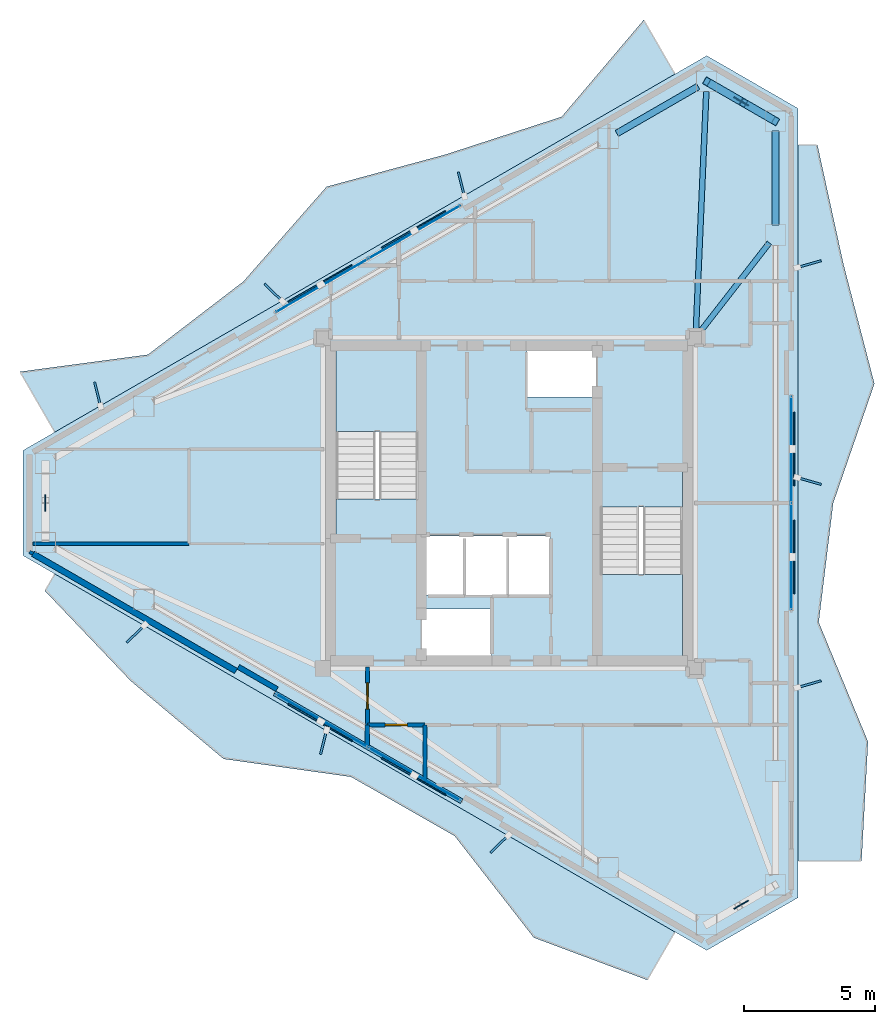
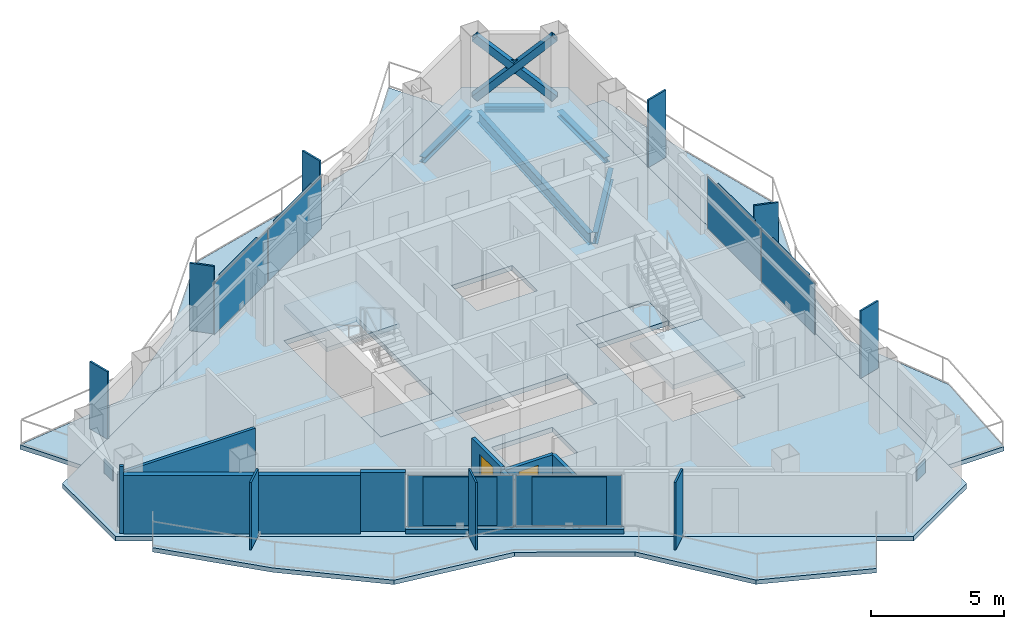
# One storey, part 13 of 18: 24 plates, 9 walls, 8 slabs, 5 beams, 3 members, 2 doors, 2 openings, 5 elements without a shape of their own.
"""IFC4 building model written with IfcOpenShell, lengths in metres."""

import ifcopenshell
import ifcopenshell.guid

model = None  # the IFC model being written
_history = None  # IfcOwnerHistory: only IFC2X3 demands one
_inside = {}  # id of a spatial element -> (the spatial element, [elements in it])
_under = {}  # id of a project, library or spatial element -> (it, [spatial elements below it])
_declared = {}  # id of a project -> (the project, [libraries it declares])
_typed = {}  # id of a type object -> (the type object, [elements of that type])
_made_of = {}  # id of a material, layer set ... -> (it, [elements and type objects made of it])


def new_model(schema):
    """Start an empty IFC model of exactly this schema.

    Asked for "IFC4X3", IfcOpenShell would pick the latest addendum, in which some entities
    have other attributes; the version numbers below select the first issue.
    IFC2X3 requires an IfcOwnerHistory on every rooted entity: one is made here for all.
    """
    global model, _history
    if schema == "IFC4X3":
        model = ifcopenshell.file(schema_version=(4, 3, 0, 0))
    else:
        model = ifcopenshell.file(schema=schema)
    _inside.clear()
    _under.clear()
    _declared.clear()
    _typed.clear()
    _made_of.clear()
    _history = None
    if model.schema == "IFC2X3":
        org = make("IfcOrganization", Name="unknown")
        user = make(
            "IfcPersonAndOrganization",
            ThePerson=make("IfcPerson", FamilyName="unknown"),
            TheOrganization=org,
        )
        app = make(
            "IfcApplication",
            ApplicationDeveloper=org,
            Version="unknown",
            ApplicationFullName="unknown",
            ApplicationIdentifier="unknown",
        )
        _history = make(
            "IfcOwnerHistory",
            OwningUser=user,
            OwningApplication=app,
            ChangeAction="ADDED",
            CreationDate=0,
        )
    return model


def make(cls, **values):
    """One entity of the class cls with the attributes given. An attribute that is None is left unset."""
    return model.create_entity(
        cls, **{name: value for name, value in values.items() if value is not None}
    )


def rooted(cls, **values):
    """An entity with a GlobalId (a new one), such as an element, a storey or a relation."""
    return make(cls, GlobalId=ifcopenshell.guid.new(), OwnerHistory=_history, **values)


def si_unit(unit_type, name, prefix=None):
    """IfcSIUnit, for example si_unit("LENGTHUNIT", "METRE", prefix="MILLI")."""
    return make("IfcSIUnit", UnitType=unit_type, Prefix=prefix, Name=name)


def assignment(units):
    """IfcUnitAssignment: the units of a project."""
    return None if units is None else make("IfcUnitAssignment", Units=units)


def point(xyz):
    """IfcCartesianPoint."""
    return None if xyz is None else make("IfcCartesianPoint", Coordinates=xyz)


def direction(xyz):
    """IfcDirection."""
    return None if xyz is None else make("IfcDirection", DirectionRatios=xyz)


def frame(location, z_axis=None, x_axis=None):
    """IfcAxis2Placement3D, a coordinate frame: its origin and axes. An axis left out is left unset."""
    return make(
        "IfcAxis2Placement3D",
        Location=point(location),
        Axis=direction(z_axis),
        RefDirection=direction(x_axis),
    )


def frame_2d(location, x_axis=None):
    """IfcAxis2Placement2D, a coordinate frame in the plane: its origin and x axis."""
    return make(
        "IfcAxis2Placement2D", Location=point(location), RefDirection=direction(x_axis)
    )


def origin():
    """The frame at (0, 0, 0) with its axes left unset."""
    return frame((0.0, 0.0, 0.0))


def origin_2d():
    """The frame at (0, 0) in the plane with its x axis left unset."""
    return frame_2d((0.0, 0.0))


def place(relative_to, where):
    """IfcLocalPlacement: puts the frame where relative to a parent placement (None: the world)."""
    return make(
        "IfcLocalPlacement", PlacementRelTo=relative_to, RelativePlacement=where
    )


def context(
    kind, dimensions, precision=None, world=None, true_north=None, identifier=None
):
    """IfcGeometricRepresentationContext, for example the 3D "Model" context."""
    return make(
        "IfcGeometricRepresentationContext",
        ContextIdentifier=identifier,
        ContextType=kind,
        CoordinateSpaceDimension=dimensions,
        Precision=precision,
        WorldCoordinateSystem=world,
        TrueNorth=true_north,
    )


def subcontext(parent, identifier, kind, view, scale=None):
    """IfcGeometricRepresentationSubContext, for example "Body" below "Model"."""
    return make(
        "IfcGeometricRepresentationSubContext",
        ContextIdentifier=identifier,
        ContextType=kind,
        ParentContext=parent,
        TargetScale=scale,
        TargetView=view,
    )


def project(units=None, contexts=None):
    """IfcProject with its units and contexts."""
    return rooted(
        "IfcProject",
        Name="project",
        RepresentationContexts=contexts,
        UnitsInContext=assignment(units),
    )


def spatial(cls, under=None, at=None, **own):
    """A site, building, storey or space (cls), placed at a placement, below another one or the project."""
    s = rooted(cls, ObjectPlacement=at, **own)
    if under is not None:
        _under.setdefault(under.id(), (under, []))[1].append(s)
    return s


def polyline(points):
    """IfcPolyline through the points."""
    return make("IfcPolyline", Points=[point(p) for p in points])


def profile(cls, at=None, kind="AREA", **sizes):
    """A parametric profile (cls). Its sizes go by their IFC names, for example OverallWidth=200.0."""
    return make(cls, ProfileType=kind, Position=at, **sizes)


def rectangle(**sizes):
    """IfcRectangleProfileDef."""
    return profile("IfcRectangleProfileDef", **sizes)


def hollow_rectangle(**sizes):
    """IfcRectangleHollowProfileDef."""
    return profile("IfcRectangleHollowProfileDef", **sizes)


def i_section(**sizes):
    """IfcIShapeProfileDef."""
    return profile("IfcIShapeProfileDef", **sizes)


def outline(outer, holes=None, kind="AREA"):
    """IfcArbitraryClosedProfileDef: a profile drawn as a closed curve; with holes, ...WithVoids."""
    if holes is None:
        return make("IfcArbitraryClosedProfileDef", ProfileType=kind, OuterCurve=outer)
    return make(
        "IfcArbitraryProfileDefWithVoids",
        ProfileType=kind,
        OuterCurve=outer,
        InnerCurves=holes,
    )


def extrude(swept, where, along, depth):
    """IfcExtrudedAreaSolid: the profile swept, set in the frame where, extruded along a direction by depth."""
    return make(
        "IfcExtrudedAreaSolid",
        SweptArea=swept,
        Position=where,
        ExtrudedDirection=direction(along),
        Depth=depth,
    )


def shape(context_of_items, identifier, shape_type, items):
    """IfcShapeRepresentation: the items that make up one representation, for example the "Body"."""
    return make(
        "IfcShapeRepresentation",
        ContextOfItems=context_of_items,
        RepresentationIdentifier=identifier,
        RepresentationType=shape_type,
        Items=items,
    )


def material(Name=None, Category=None):
    """IfcMaterial."""
    return make("IfcMaterial", Name=Name, Category=Category)


def layer(
    of_material, thickness, ventilated=None, Name=None, Category=None, Priority=None
):
    """IfcMaterialLayer: one layer of a wall or slab, of a material (None: an air gap)."""
    return make(
        "IfcMaterialLayer",
        Material=of_material,
        LayerThickness=thickness,
        IsVentilated=ventilated,
        Name=Name,
        Category=Category,
        Priority=Priority,
    )


def layer_set(layers, Name=None):
    """IfcMaterialLayerSet."""
    return make("IfcMaterialLayerSet", MaterialLayers=layers, LayerSetName=Name)


def material_profile(
    of_material, cross_section, Name=None, Category=None, Priority=None
):
    """IfcMaterialProfile: a cross section and its material."""
    return make(
        "IfcMaterialProfile",
        Name=Name,
        Material=of_material,
        Profile=cross_section,
        Priority=Priority,
        Category=Category,
    )


def profile_set(profiles, Name=None, composite=None):
    """IfcMaterialProfileSet."""
    return make(
        "IfcMaterialProfileSet",
        Name=Name,
        MaterialProfiles=profiles,
        CompositeProfile=composite,
    )


def made_of(thing, what):
    """Note that an element or type object is made of a material, layer set ...; save() writes the relation."""
    if what is not None:
        _made_of.setdefault(what.id(), (what, []))[1].append(thing)
    return thing


def type_object(cls, material=None, **own):
    """A type object (cls), such as IfcWallType, which elements share."""
    return made_of(rooted(cls, **own), material)


def element(
    cls,
    number,
    at=None,
    inside=None,
    cuts=None,
    type_object=None,
    material=None,
    context=None,
    identifier="Body",
    shape_type=None,
    held_by="IfcProductDefinitionShape",
    body=None,
    shapes=None,
    **own,
):
    """One element of the class cls, such as IfcWall. Its Tag is "e" and its number.

    at: its placement. inside: the storey or other place that contains it. cuts: it is an
    opening in that element (IfcRelVoidsElement). A single representation is given by context,
    identifier, shape_type and body (its items); several are given by shapes. held_by: the class
    of the entity that holds the representations. save() writes the other relations.
    """
    e = rooted(cls, Tag="e%d" % number, ObjectPlacement=at, **own)
    if body is not None:
        shapes = [shape(context, identifier, shape_type, body)]
    if shapes is not None:
        e.Representation = make(held_by, Representations=shapes)
    if inside is not None:
        _inside.setdefault(inside.id(), (inside, []))[1].append(e)
    if cuts is not None:
        rooted(
            "IfcRelVoidsElement", RelatingBuildingElement=cuts, RelatedOpeningElement=e
        )
    if type_object is not None:
        _typed.setdefault(type_object.id(), (type_object, []))[1].append(e)
    return made_of(e, material)


def fill(opening, filler):
    """IfcRelFillsElement: the door or window that sits in an opening."""
    return rooted(
        "IfcRelFillsElement",
        RelatingOpeningElement=opening,
        RelatedBuildingElement=filler,
    )


def aggregate(whole, parts):
    """IfcRelAggregates: a whole, such as a stair, and the parts it consists of."""
    return rooted("IfcRelAggregates", RelatingObject=whole, RelatedObjects=parts)


def save(model, path):
    """Write the relations noted so far, then the file.

    IfcRelAggregates (storeys below a building ...), IfcRelContainedInSpatialStructure (elements
    in a storey), IfcRelDefinesByType, IfcRelAssociatesMaterial and IfcRelDeclares: one each for
    every whole, place, type object, material and project.
    """
    for whole, parts in _under.values():
        aggregate(whole, parts)
    for where, things in _inside.values():
        rooted(
            "IfcRelContainedInSpatialStructure",
            RelatedElements=things,
            RelatingStructure=where,
        )
    for kind, things in _typed.values():
        rooted("IfcRelDefinesByType", RelatedObjects=things, RelatingType=kind)
    for what, things in _made_of.values():
        rooted("IfcRelAssociatesMaterial", RelatedObjects=things, RelatingMaterial=what)
    for by, libraries in _declared.values():
        rooted("IfcRelDeclares", RelatingContext=by, RelatedDefinitions=libraries)
    model.write(path)


model = new_model("IFC4")

# Units and contexts
model_context = context("Model", 3, precision=1e-05, world=origin(), true_north=direction((0.0, 1.0)))
body_context = subcontext(model_context, "Body", "Model", "MODEL_VIEW")
ifc_project = project(units=[si_unit("LENGTHUNIT", "METRE"), si_unit("AREAUNIT", "SQUARE_METRE"), si_unit("VOLUMEUNIT", "CUBIC_METRE"), si_unit("PLANEANGLEUNIT", "RADIAN"), si_unit("MASSUNIT", "GRAM", prefix="KILO")], contexts=[model_context])

# Site, building, storey
site_placement = place(None, origin())
site = spatial("IfcSite", under=ifc_project, at=site_placement, CompositionType="ELEMENT")
building_placement = place(site_placement, origin())
building = spatial("IfcBuilding", under=site, at=building_placement, Name="Mersakhor Tower and Convention Hall", CompositionType="ELEMENT")
storey_placement = place(building_placement, frame((0.0, 0.0, 239.699951171875)))
storey = spatial("IfcBuildingStorey", under=building, at=storey_placement, Name="L67", CompositionType="ELEMENT", Elevation=239.699951171875)

# Beams
ifc_material_1 = material(Name="Steel S355", Category="steel")
ifc_material_profile_1 = material_profile(ifc_material_1, i_section(OverallWidth=0.2099609375, OverallDepth=0.53662109375, WebThickness=0.0107421875, FlangeThickness=0.017333984375, at=origin_2d()), Name="UB 533x210x101")
ifc_profile_set_1 = profile_set([ifc_material_profile_1], Name="Steel S355")
beam_type_1 = type_object("IfcBeamType", Name="BM-FB-533", PredefinedType="BEAM", material=ifc_profile_set_1)
beam_1_placement = place(storey_placement, frame((36.1123046875, 33.32958984375, -0.48828125), z_axis=(0.043540774519, 0.999051650794, 0.0), x_axis=(-0.999051650794, 0.043540774519, 0.0)))
element("IfcBeam", 1, at=beam_1_placement, inside=storey, type_object=beam_type_1, Name="L67 Primary Floor Girder FG-2", PredefinedType="BEAM", context=body_context, shape_type="SweptSolid", body=[
    extrude(i_section(OverallWidth=0.2099609375, OverallDepth=0.53662109375, WebThickness=0.0107421875, FlangeThickness=0.017333984375, at=origin_2d()), origin(), (0.0, 0.0, 1.0), 9.10595703125),
])
beam_2_placement = place(storey_placement, frame((36.27197265625, 33.27099609375, -0.48828125), z_axis=(0.614066533088, 0.789254263809, 0.0), x_axis=(-0.789254263809, 0.614066533088, 0.0)))
element("IfcBeam", 2, at=beam_2_placement, inside=storey, type_object=beam_type_1, Name="L67 Primary Floor Girder FG-3", PredefinedType="BEAM", context=body_context, shape_type="SweptSolid", body=[
    extrude(i_section(OverallWidth=0.2099609375, OverallDepth=0.53662109375, WebThickness=0.0107421875, FlangeThickness=0.017333984375, at=origin_2d()), origin(), (0.0, 0.0, 1.0), 4.295166015625),
])
ifc_material_2 = material(Name="Steel S355", Category="steel")
ifc_material_profile_2 = material_profile(ifc_material_2, i_section(OverallWidth=0.25634765625, OverallDepth=0.26025390625, WebThickness=0.01025390625, FlangeThickness=0.017333984375, at=origin_2d()), Name="UC 254x254x89")
ifc_profile_set_2 = profile_set([ifc_material_profile_2], Name="Steel S355")
beam_type_2 = type_object("IfcBeamType", Name="BM-SPD-UC254", PredefinedType="SPANDREL", material=ifc_profile_set_2)
beam_3_placement = place(storey_placement, frame((33.1005859375, 40.829345703125, -0.35009765625), z_axis=(0.866002454009, 0.500039748071, 0.0), x_axis=(-0.500039748071, 0.866002454009, 0.0)))
element("IfcBeam", 3, at=beam_3_placement, inside=storey, type_object=beam_type_2, Name="L67 Perimeter Spandrel Beam SPB-03", PredefinedType="SPANDREL", context=body_context, shape_type="SweptSolid", body=[
    extrude(i_section(OverallWidth=0.25634765625, OverallDepth=0.26025390625, WebThickness=0.01025390625, FlangeThickness=0.017333984375, at=origin_2d()), origin(), (0.0, 0.0, 1.0), 3.574462890625),
])
beam_4_placement = place(storey_placement, frame((36.854248046875, 42.61669921875, -0.35009765625), z_axis=(0.866016678684, -0.500015112013, 0.0), x_axis=(0.500015112013, 0.866016678684, 0.0)))
element("IfcBeam", 4, at=beam_4_placement, inside=storey, type_object=beam_type_2, Name="L67 Perimeter Spandrel Beam SPB-04", PredefinedType="SPANDREL", context=body_context, shape_type="SweptSolid", body=[
    extrude(i_section(OverallWidth=0.25634765625, OverallDepth=0.26025390625, WebThickness=0.01025390625, FlangeThickness=0.017333984375, at=origin_2d()), origin(), (0.0, 0.0, 1.0), 2.2626953125),
])
beam_5_placement = place(storey_placement, frame((39.142822265625, 40.915283203125, -0.35009765625), z_axis=(0.0, -1.0, 0.0), x_axis=(1.0, 0.0, 0.0)))
element("IfcBeam", 5, at=beam_5_placement, inside=storey, type_object=beam_type_2, Name="L67 Perimeter Spandrel Beam SPB-05", PredefinedType="SPANDREL", context=body_context, shape_type="SweptSolid", body=[
    extrude(i_section(OverallWidth=0.25634765625, OverallDepth=0.26025390625, WebThickness=0.01025390625, FlangeThickness=0.017333984375, at=origin_2d()), origin(), (0.0, 0.0, 1.0), 3.574462890625),
])

# Members
ifc_material_3 = material(Name="Steel S355", Category="steel")
ifc_material_profile_3 = material_profile(ifc_material_3, hollow_rectangle(XDim=0.300048828125, YDim=0.300048828125, WallThickness=0.01611328125, at=origin_2d()), Name="SHS 300x300x16")
ifc_profile_set_3 = profile_set([ifc_material_profile_3], Name="Steel S355")
member_type = type_object("IfcMemberType", Name="MB-BRC-SHS300", PredefinedType="BRACE", material=ifc_profile_set_3)
member_1_placement = place(storey_placement, frame((36.525146484375, 42.806640625, 0.150146484375), z_axis=(0.637448673294, -0.368010379378, 0.676925069402), x_axis=(0.499978822259, 0.866037630414, 0.0)))
element("IfcMember", 6, at=member_1_placement, inside=storey, type_object=member_type, Name="L67 Chamfer Braced Frame Diagonal CB-1A", PredefinedType="BRACE", context=body_context, shape_type="SweptSolid", body=[
    extrude(hollow_rectangle(XDim=0.300048828125, YDim=0.300048828125, WallThickness=0.01611328125, at=origin_2d()), origin(), (0.0, 0.0, 1.0), 4.1064453125),
])
member_2_placement = place(storey_placement, frame((39.142822265625, 41.29541015625, 0.150146484375), z_axis=(-0.6374128848, 0.367990943802, 0.676969334291), x_axis=(-0.499980071345, -0.866036909293, 0.0)))
element("IfcMember", 7, at=member_2_placement, inside=storey, type_object=member_type, Name="L67 Chamfer Braced Frame Diagonal CB-1B Lower Half", PredefinedType="BRACE", context=body_context, shape_type="SweptSolid", body=[
    extrude(hollow_rectangle(XDim=0.300048828125, YDim=0.300048828125, WallThickness=0.01611328125, at=origin_2d()), origin(), (0.0, 0.0, 1.0), 1.894775390625),
])
member_3_placement = place(storey_placement, frame((37.73291015625, 42.109375, 1.6474609375), z_axis=(-0.637468486011, 0.36802304347, 0.676899526383), x_axis=(-0.499980071345, -0.866036909293, 0.0)))
element("IfcMember", 8, at=member_3_placement, inside=storey, type_object=member_type, Name="L67 Chamfer Braced Frame Diagonal CB-1B Upper Half", PredefinedType="BRACE", context=body_context, shape_type="SweptSolid", body=[
    extrude(hollow_rectangle(XDim=0.300048828125, YDim=0.300048828125, WallThickness=0.01611328125, at=origin_2d()), origin(), (0.0, 0.0, 1.0), 1.89453125),
])

# Curtain wall, plates
ifc_material_4 = material(Name="Dark solar low-E aluminium curtain wall", Category="aluminium")
ifc_layer_1 = layer(ifc_material_4, 0.179931640625)
ifc_layer_set_1 = layer_set([ifc_layer_1], Name="Dark solar low-E aluminium curtain wall")
curtain_wall_type = type_object("IfcCurtainWallType", Name="CW-SYS-03", PredefinedType="USERDEFINED", material=ifc_layer_set_1)
curtain_wall_1_placement = place(storey_placement, origin())
curtain_wall_1 = element("IfcCurtainWall", 9, at=curtain_wall_1_placement, inside=storey, type_object=curtain_wall_type, Name="L67 Dark-Glass Curtain Wall F1-B2", ObjectType="CURTAIN WALL", PredefinedType="USERDEFINED")
ifc_material_5 = material(Name="Dark solar double glazing", Category="glass")
ifc_layer_2 = layer(ifc_material_5, 0.031982421875)
ifc_layer_set_2 = layer_set([ifc_layer_2], Name="Dark solar double glazing")
plate_type_1 = type_object("IfcPlateType", Name="CWP-GLZ-32", PredefinedType="CURTAIN_PANEL", material=ifc_layer_set_2)
plate_1_placement = place(storey_placement, frame((21.863525390625, 35.034423828125, 0.260009765625), z_axis=(0.0, 0.0, 1.0), x_axis=(0.86602285698, 0.500004411169, 0.0)))
plate_1 = element("IfcPlate", 10, at=plate_1_placement, type_object=plate_type_1, Name="CW-03 panel 1.1", PredefinedType="CURTAIN_PANEL", context=body_context, shape_type="SweptSolid", body=[
    extrude(rectangle(XDim=4.00146484375, YDim=0.031982421875, at=origin_2d()), origin(), (0.0, 0.0, 1.0), 2.3798828125),
])
plate_2_placement = place(storey_placement, frame((25.393798828125, 37.07275390625, 0.260009765625), z_axis=(0.0, 0.0, 1.0), x_axis=(0.86602285698, 0.500004411169, 0.0)))
plate_2 = element("IfcPlate", 11, at=plate_2_placement, type_object=plate_type_1, Name="CW-03 panel 2.1", PredefinedType="CURTAIN_PANEL", context=body_context, shape_type="SweptSolid", body=[
    extrude(rectangle(XDim=4.00146484375, YDim=0.031982421875, at=origin_2d()), origin(), (0.0, 0.0, 1.0), 2.3798828125),
])
aggregate(curtain_wall_1, [plate_1, plate_2])

curtain_wall_2_placement = place(storey_placement, origin())
curtain_wall_2 = element("IfcCurtainWall", 12, at=curtain_wall_2_placement, inside=storey, type_object=curtain_wall_type, Name="L67 Dark-Glass Curtain Wall F2-B2", ObjectType="CURTAIN WALL", PredefinedType="USERDEFINED")
plate_3_placement = place(storey_placement, frame((39.742919921875, 28.7880859375, 0.260009765625), z_axis=(0.0, 0.0, 1.0), x_axis=(0.0, -1.0, 0.0)))
plate_3 = element("IfcPlate", 13, at=plate_3_placement, type_object=plate_type_1, Name="CW-03 panel 1.1", PredefinedType="CURTAIN_PANEL", context=body_context, shape_type="SweptSolid", body=[
    extrude(rectangle(XDim=4.00146484375, YDim=0.031982421875, at=origin_2d()), origin(), (0.0, 0.0, 1.0), 2.3798828125),
])
plate_4_placement = place(storey_placement, frame((39.742919921875, 24.7119140625, 0.260009765625), z_axis=(0.0, 0.0, 1.0), x_axis=(0.0, -1.0, 0.0)))
plate_4 = element("IfcPlate", 14, at=plate_4_placement, type_object=plate_type_1, Name="CW-03 panel 2.1", PredefinedType="CURTAIN_PANEL", context=body_context, shape_type="SweptSolid", body=[
    extrude(rectangle(XDim=4.00146484375, YDim=0.031982421875, at=origin_2d()), origin(), (0.0, 0.0, 1.0), 2.3798828125),
])
aggregate(curtain_wall_2, [plate_3, plate_4])

curtain_wall_3_placement = place(storey_placement, origin())
curtain_wall_3 = element("IfcCurtainWall", 15, at=curtain_wall_3_placement, inside=storey, type_object=curtain_wall_type, Name="L67 Dark-Glass Curtain Wall F3-B2", ObjectType="CURTAIN WALL", PredefinedType="USERDEFINED")
plate_5_placement = place(storey_placement, frame((25.393798828125, 16.42724609375, 0.260009765625), z_axis=(0.0, 0.0, 1.0), x_axis=(-0.86602285698, 0.500004411169, 0.0)))
plate_5 = element("IfcPlate", 16, at=plate_5_placement, type_object=plate_type_1, Name="CW-03 panel 1.1", PredefinedType="CURTAIN_PANEL", context=body_context, shape_type="SweptSolid", body=[
    extrude(rectangle(XDim=4.00146484375, YDim=0.031982421875, at=origin_2d()), origin(), (0.0, 0.0, 1.0), 2.3798828125),
])
plate_6_placement = place(storey_placement, frame((21.863525390625, 18.465576171875, 0.260009765625), z_axis=(0.0, 0.0, 1.0), x_axis=(-0.86602285698, 0.500004411169, 0.0)))
plate_6 = element("IfcPlate", 17, at=plate_6_placement, type_object=plate_type_1, Name="CW-03 panel 2.1", PredefinedType="CURTAIN_PANEL", context=body_context, shape_type="SweptSolid", body=[
    extrude(rectangle(XDim=4.00146484375, YDim=0.031982421875, at=origin_2d()), origin(), (0.0, 0.0, 1.0), 2.3798828125),
])
aggregate(curtain_wall_3, [plate_5, plate_6])

# Plates
ifc_material_6 = material(Name="Ceramic-clad aluminium Zone 5 ultramarine", Category="aluminium")
ifc_material_7 = material(Name="Ceramic-clad aluminium Zone 1 cobalt-slate", Category="masonry")
ifc_layer_3 = layer(ifc_material_7, 0.080078125)
ifc_layer_set_3 = layer_set([ifc_layer_3], Name="Ceramic-clad aluminium Zone 1 cobalt-slate")
plate_type_2 = type_object("IfcPlateType", Name="PL-FIN-80", PredefinedType="USERDEFINED", material=ifc_layer_set_3)
for number, where, z_axis, x_axis, name in (
    (18, (13.321533203125, 30.8955078125, 0.0), (0.0, 0.0, 1.0), (-0.2419218956, 0.970295726276, 0.0), "L67 Zone 5 Coloured Brise-Soleil Fin F1-1"),
    (19, (20.02294921875, 34.7646484375, 0.0), (0.0, 0.0, 1.0), (-0.719339800339, 0.694658370459, 0.0), "L67 Zone 5 Coloured Brise-Soleil Fin F1-2"),
    (20, (27.177978515625, 38.8955078125, 0.0), (0.0, 0.0, 1.0), (-0.2419218956, 0.970295726276, 0.0), "L67 Zone 5 Coloured Brise-Soleil Fin F1-3"),
    (21, (40.429443359375, 35.850341796875, 0.0), (0.0, 0.0, 1.0), (0.961261695938, 0.275637355817, 0.0), "L67 Zone 5 Coloured Brise-Soleil Fin F2-1"),
    (22, (40.429443359375, 27.58837890625, 0.0), (0.0, 0.0, 1.0), (0.961261695938, -0.275637355817, 0.0), "L67 Zone 5 Coloured Brise-Soleil Fin F2-2"),
    (23, (40.429443359375, 19.850341796875, 0.0), (0.0, 0.0, 1.0), (0.961261695938, 0.275637355817, 0.0), "L67 Zone 5 Coloured Brise-Soleil Fin F2-3"),
    (24, (28.630126953125, 13.765869140625, 0.0), (0.0, 0.0, 1.0), (-0.719339800339, -0.694658370459, 0.0), "L67 Zone 5 Coloured Brise-Soleil Fin F3-1"),
    (25, (21.9287109375, 17.635009765625, 0.0), (0.0, 0.0, 1.0), (-0.2419218956, -0.970295726276, 0.0), "L67 Zone 5 Coloured Brise-Soleil Fin F3-2"),
    (26, (14.773681640625, 21.76611328125, 0.0), (0.0, 0.0, 1.0), (-0.719339800339, -0.694658370459, 0.0), "L67 Zone 5 Coloured Brise-Soleil Fin F3-3"),
):
    element("IfcPlate", number, at=place(storey_placement, frame(where, z_axis=z_axis, x_axis=x_axis)), inside=storey, type_object=plate_type_2, material=ifc_material_6, Name=name, ObjectType="FIN", PredefinedType="USERDEFINED", context=body_context, shape_type="SweptSolid", body=[
        extrude(rectangle(XDim=0.949951171875, YDim=0.080078125, at=origin_2d()), origin(), (0.0, 0.0, 1.0), 3.10009765625),
    ])
ifc_material_8 = material(Name="Steel S460", Category="steel")
ifc_layer_4 = layer(ifc_material_8, 0.0400390625)
ifc_layer_set_4 = layer_set([ifc_layer_4], Name="Steel S460")
plate_type_3 = type_object("IfcPlateType", Name="PL-GUSSET-40", PredefinedType="SHEET", material=ifc_layer_set_4)
for number, where, z_axis, x_axis, name in (
    (27, (37.833984375, 42.051025390625, 1.22021484375), (0.0, 0.0, 1.0), (-0.866025403784, 0.5, 0.0), "L67 X-Brace Crossing Gusset Node Plate"),
    (28, (37.833984375, 11.448974609375, 1.22021484375), (0.0, 0.0, 1.0), (0.866025403784, 0.5, 0.0), "L67 X-Brace Crossing Gusset Node Plate"),
    (29, (11.33203125, 26.75, 1.22021484375), (0.0, 0.0, 1.0), (0.0, -1.0, 0.0), "L67 X-Brace Crossing Gusset Node Plate"),
):
    element("IfcPlate", number, at=place(storey_placement, frame(where, z_axis=z_axis, x_axis=x_axis)), inside=storey, type_object=plate_type_3, Name=name, PredefinedType="SHEET", context=body_context, shape_type="SweptSolid", body=[
        extrude(rectangle(XDim=0.639892578125, YDim=0.0400390625, at=origin_2d()), origin(), (0.0, 0.0, 1.0), 0.639892578125),
    ])
ifc_material_9 = material(Name="Perforated ceramic cobogo solar screen", Category="aluminium")
ifc_layer_5 = layer(ifc_material_9, 0.055908203125)
ifc_layer_set_5 = layer_set([ifc_layer_5], Name="Perforated ceramic cobogo solar screen")
plate_type_4 = type_object("IfcPlateType", Name="PL-SCR-56", PredefinedType="USERDEFINED", material=ifc_layer_set_5)
for number, where, z_axis, x_axis, name in (
    (30, (21.79833984375, 35.10986328125, 0.400146484375), (0.0, 0.0, 1.0), (0.866025403784, 0.5, 0.0), "L67 Perforated Ceramic Solar Screen F1-1"),
    (31, (25.361083984375, 37.1669921875, 0.400146484375), (0.0, 0.0, 1.0), (0.866025403784, 0.5, 0.0), "L67 Perforated Ceramic Solar Screen F1-2"),
    (32, (39.8408203125, 28.806884765625, 0.400146484375), (0.0, 0.0, 1.0), (0.0, -1.0, 0.0), "L67 Perforated Ceramic Solar Screen F2-1"),
    (33, (39.8408203125, 24.693115234375, 0.400146484375), (0.0, 0.0, 1.0), (0.0, -1.0, 0.0), "L67 Perforated Ceramic Solar Screen F2-2"),
    (34, (25.36083984375, 16.3330078125, 0.400146484375), (0.0, 0.0, 1.0), (-0.866025403784, 0.5, 0.0), "L67 Perforated Ceramic Solar Screen F3-1"),
    (35, (21.798095703125, 18.389892578125, 0.400146484375), (0.0, 0.0, 1.0), (-0.866025403784, 0.5, 0.0), "L67 Perforated Ceramic Solar Screen F3-2"),
):
    element("IfcPlate", number, at=place(storey_placement, frame(where, z_axis=z_axis, x_axis=x_axis)), inside=storey, type_object=plate_type_4, Name=name, ObjectType="SCREEN", PredefinedType="USERDEFINED", context=body_context, shape_type="SweptSolid", body=[
        extrude(rectangle(XDim=2.800048828125, YDim=0.055908203125, at=origin_2d()), origin(), (0.0, 0.0, 1.0), 2.25),
    ])

# Slabs
ifc_material_10 = material(Name="Concrete C45/55", Category="concrete")
ifc_layer_6 = layer(ifc_material_10, 0.199951171875)
ifc_layer_set_6 = layer_set([ifc_layer_6], Name="Concrete C45/55")
slab_type_1 = type_object("IfcSlabType", Name="SL-BAL-200", PredefinedType="FLOOR", material=ifc_layer_set_6)
slab_1_placement = place(storey_placement, frame((0.0, 0.0, -0.199951171875)))
element("IfcSlab", 36, at=slab_1_placement, inside=storey, type_object=slab_type_1, Name="L67 Sinusoidal Balcony Slab Face 1", PredefinedType="FLOOR", context=body_context, shape_type="SweptSolid", body=[
    extrude(outline(polyline([(11.6943359375, 29.451904296875), (35.312744140625, 43.088134765625), (34.123046875, 45.14892578125), (31.00146484375, 41.46484375), (26.5830078125, 40.027099609375), (22.043701171875, 38.798828125), (18.878662109375, 35.18994140625), (15.23974609375, 32.402099609375), (10.36669921875, 31.751708984375), (11.6943359375, 29.451904296875)])), origin(), (0.0, 0.0, 1.0), 0.199951171875),
])
slab_2_placement = place(storey_placement, frame((0.0, 0.0, -0.199951171875)))
element("IfcSlab", 37, at=slab_2_placement, inside=storey, type_object=slab_type_1, Name="L67 Sinusoidal Balcony Slab Face 2", PredefinedType="FLOOR", context=body_context, shape_type="SweptSolid", body=[
    extrude(outline(polyline([(39.992919921875, 40.385986328125), (39.992919921875, 13.114013671875), (42.4228515625, 13.114013671875), (42.66845703125, 17.6591796875), (40.79052734375, 22.20458984375), (41.34326171875, 26.75), (42.912841796875, 31.29541015625), (41.735107421875, 35.8408203125), (40.742919921875, 40.385986328125), (39.992919921875, 40.385986328125)])), origin(), (0.0, 0.0, 1.0), 0.199951171875),
])
slab_3_placement = place(storey_placement, frame((0.0, 0.0, -0.199951171875)))
element("IfcSlab", 38, at=slab_3_placement, inside=storey, type_object=slab_type_1, Name="L67 Sinusoidal Balcony Slab Face 3", PredefinedType="FLOOR", context=body_context, shape_type="SweptSolid", body=[
    extrude(outline(polyline([(35.312744140625, 10.411865234375), (11.6943359375, 24.048095703125), (11.3193359375, 23.3984375), (14.588134765625, 19.96923828125), (18.123046875, 17.001220703125), (22.9775390625, 16.319091796875), (26.925048828125, 14.0654296875), (29.938720703125, 10.1943359375), (34.256103515625, 8.581787109375), (35.312744140625, 10.411865234375)])), origin(), (0.0, 0.0, 1.0), 0.199951171875),
])
ifc_material_11 = material(Name="Concrete C40/50", Category="concrete")
ifc_layer_7 = layer(ifc_material_11, 0.219970703125)
ifc_layer_set_7 = layer_set([ifc_layer_7], Name="Concrete C40/50")
slab_type_2 = type_object("IfcSlabType", Name="SL-FLR-220", PredefinedType="FLOOR", material=ifc_layer_set_7)
slab_4_placement = place(storey_placement, frame((0.0, 0.0, -0.219970703125)))
element("IfcSlab", 39, at=slab_4_placement, inside=storey, type_object=slab_type_2, Name="L67 ST-1 Structural Stair Floor Landing", PredefinedType="LANDING", context=body_context, shape_type="SweptSolid", body=[
    extrude(outline(polyline([(25.550048828125, 25.39990234375), (25.550048828125, 26.89990234375), (22.39990234375, 26.89990234375), (22.39990234375, 25.39990234375), (25.550048828125, 25.39990234375)])), origin(), (0.0, 0.0, 1.0), 0.219970703125),
])
slab_5_placement = place(storey_placement, frame((0.0, 0.0, -0.219970703125)))
element("IfcSlab", 40, at=slab_5_placement, inside=storey, type_object=slab_type_2, Name="L67 ST-2 Structural Stair Floor Landing", PredefinedType="LANDING", context=body_context, shape_type="SweptSolid", body=[
    extrude(outline(polyline([(32.449951171875, 28.10009765625), (32.449951171875, 26.60009765625), (35.60009765625, 26.60009765625), (35.60009765625, 28.10009765625), (32.449951171875, 28.10009765625)])), origin(), (0.0, 0.0, 1.0), 0.219970703125),
])
slab_6_placement = place(storey_placement, frame((0.0, 0.0, -0.219970703125)))
element("IfcSlab", 41, at=slab_6_placement, inside=storey, type_object=slab_type_2, Name="Tower L67 Structural Floor Slab", PredefinedType="FLOOR", context=body_context, shape_type="SweptSolid", body=[
    extrude(outline(polyline([(10.48193359375, 28.751953125), (36.525146484375, 43.7880859375), (39.992919921875, 41.7861328125), (39.992919921875, 11.7138671875), (36.525146484375, 9.7119140625), (10.48193359375, 24.748046875), (10.48193359375, 28.751953125)]), holes=[polyline([(25.550048828125, 25.39990234375), (25.550048828125, 32.699951171875), (22.39990234375, 32.699951171875), (22.39990234375, 25.39990234375), (25.550048828125, 25.39990234375)]), polyline([(32.449951171875, 28.10009765625), (32.449951171875, 20.800048828125), (35.60009765625, 20.800048828125), (35.60009765625, 28.10009765625), (32.449951171875, 28.10009765625)]), polyline([(25.679931640625, 20.820068359375), (25.679931640625, 22.719970703125), (28.320068359375, 22.719970703125), (28.320068359375, 20.820068359375), (25.679931640625, 20.820068359375)]), polyline([(29.679931640625, 30.780029296875), (29.679931640625, 32.679931640625), (32.320068359375, 32.679931640625), (32.320068359375, 30.780029296875), (29.679931640625, 30.780029296875)]), polyline([(25.679931640625, 23.25), (25.679931640625, 25.5), (30.570068359375, 25.5), (30.570068359375, 23.25), (25.679931640625, 23.25)])]), origin(), (0.0, 0.0, 1.0), 0.219970703125),
])

# Stair, slab
ifc_material_12 = material(Name="Concrete C45/55", Category="concrete")
stair_type = type_object("IfcStairType", Name="ST-TWR-20R", PredefinedType="HALF_TURN_STAIR", material=ifc_material_12)
stair_1_placement = place(storey_placement, origin())
stair_1 = element("IfcStair", 42, at=stair_1_placement, inside=storey, type_object=stair_type, Name="L67 Tower Protected Exit Stair ST-1", PredefinedType="HALF_TURN_STAIR")
ifc_material_13 = material(Name="Concrete C45/55", Category="concrete")
ifc_layer_8 = layer(ifc_material_13, 0.199951171875)
ifc_layer_set_8 = layer_set([ifc_layer_8], Name="Concrete C45/55")
slab_type_3 = type_object("IfcSlabType", Name="SL-LAND-200", PredefinedType="LANDING", material=ifc_layer_set_8)
slab_7_placement = place(storey_placement, frame((0.0, 0.0, 1.449951171875)))
slab_7 = element("IfcSlab", 43, at=slab_7_placement, type_object=slab_type_3, Name="ST-1 landing 1", PredefinedType="LANDING", context=body_context, shape_type="SweptSolid", body=[
    extrude(outline(polyline([(25.550048828125, 29.465087890625), (25.550048828125, 32.699951171875), (22.39990234375, 32.699951171875), (22.39990234375, 29.465087890625), (25.550048828125, 29.465087890625)])), origin(), (0.0, 0.0, 1.0), 0.2001953125),
])
aggregate(stair_1, [slab_7])

stair_2_placement = place(storey_placement, origin())
stair_2 = element("IfcStair", 44, at=stair_2_placement, inside=storey, type_object=stair_type, Name="L67 Tower Protected Exit Stair ST-2", PredefinedType="HALF_TURN_STAIR")
slab_8_placement = place(storey_placement, frame((0.0, 0.0, 1.449951171875)))
slab_8 = element("IfcSlab", 45, at=slab_8_placement, type_object=slab_type_3, Name="ST-2 landing 1", PredefinedType="LANDING", context=body_context, shape_type="SweptSolid", body=[
    extrude(outline(polyline([(32.449951171875, 24.034912109375), (32.449951171875, 20.800048828125), (35.60009765625, 20.800048828125), (35.60009765625, 24.034912109375), (32.449951171875, 24.034912109375)])), origin(), (0.0, 0.0, 1.0), 0.2001953125),
])
aggregate(stair_2, [slab_8])

# Walls
ifc_material_14 = material(Name="Precast concrete C40/50", Category="concrete")
ifc_layer_9 = layer(ifc_material_14, 0.22509765625)
ifc_layer_set_9 = layer_set([ifc_layer_9], Name="Precast concrete C40/50")
wall_type_1 = type_object("IfcWallType", Name="WL-EXT-225", PredefinedType="SOLIDWALL", material=ifc_layer_set_9)
wall_1_placement = place(storey_placement, frame((18.593505859375, 20.353515625, 0.0), z_axis=(0.0, 0.0, 1.0), x_axis=(-0.866026655105, 0.499997832642, 0.0)))
element("IfcWall", 46, at=wall_1_placement, inside=storey, type_object=wall_type_1, Name="L67 Exterior Facade Wall F3-B3", PredefinedType="SOLIDWALL", context=body_context, shape_type="SweptSolid", body=[
    extrude(rectangle(XDim=8.927734375, YDim=0.22509765625, at=frame_2d((4.4638671875, 0.0))), origin(), (0.0, 0.0, 1.0), 2.699951171875),
])
ifc_material_15 = material(Name="Precast concrete C40/50", Category="concrete")
ifc_layer_10 = layer(ifc_material_15, 0.199951171875)
ifc_layer_set_10 = layer_set([ifc_layer_10], Name="Precast concrete C40/50")
wall_type_2 = type_object("IfcWallType", Name="WL-PAR-200", PredefinedType="PARAPET", material=ifc_layer_set_10)
wall_2_placement = place(storey_placement, frame((27.19140625, 15.389404296875, 0.0), z_axis=(0.0, 0.0, 1.0), x_axis=(-0.866019557082, 0.500010126649, 0.0)))
element("IfcWall", 47, at=wall_2_placement, inside=storey, type_object=wall_type_2, Name="L67 Curtain Wall Upstand Sill F3-B2", PredefinedType="PARAPET", context=body_context, shape_type="SweptSolid", body=[
    extrude(rectangle(XDim=8.227783203125, YDim=0.199951171875, at=frame_2d((4.11376953125, 0.0))), origin(), (0.0, 0.0, 1.0), 0.199951171875),
])
wall_3_placement = place(storey_placement, frame((20.156005859375, 19.6591796875, 0.0), z_axis=(0.0, 0.0, 1.0), x_axis=(-0.866025371046, 0.500000056704, 0.0)))
element("IfcWall", 48, at=wall_3_placement, inside=storey, type_object=wall_type_2, Name="L67 Column Pier Cladding Wall F3-C2", PredefinedType="PARAPET", context=body_context, shape_type="SweptSolid", body=[
    extrude(rectangle(XDim=1.7001953125, YDim=0.199951171875, at=frame_2d((0.85009765625, 0.0))), origin(), (0.0, 0.0, 1.0), 2.699951171875),
])
ifc_material_16 = material(Name="Moisture-resistant acoustic drywall studwork", Category="other")
ifc_layer_11 = layer(ifc_material_16, 0.175048828125)
ifc_layer_set_11 = layer_set([ifc_layer_11], Name="Moisture-resistant acoustic drywall studwork")
wall_type_3 = type_object("IfcWallType", Name="WL-PLM-175", PredefinedType="PLUMBINGWALL", material=ifc_layer_set_11)
wall_4_placement = place(storey_placement, frame((23.60009765625, 17.50927734375, 0.0), z_axis=(0.0, 0.0, 1.0), x_axis=(0.0, 1.0, 0.0)))
element("IfcWall", 49, at=wall_4_placement, inside=storey, type_object=wall_type_3, Name="L67 Interior Partition Wall P-043", PredefinedType="PLUMBINGWALL", context=body_context, shape_type="SweptSolid", body=[
    extrude(rectangle(XDim=0.790771484375, YDim=0.175048828125, at=frame_2d((0.3955078125, 0.0))), origin(), (0.0, 0.0, 1.0), 2.364990234375),
])
ifc_material_17 = material(Name="Gypsum board acoustic partition", Category="other")
ifc_layer_12 = layer(ifc_material_17, 0.125)
ifc_layer_set_12 = layer_set([ifc_layer_12], Name="Gypsum board acoustic partition")
wall_type_4 = type_object("IfcWallType", Name="WL-PRT-125", PredefinedType="PARTITIONING", material=ifc_layer_set_12)
wall_5_placement = place(storey_placement, frame((10.868408203125, 25.199951171875, 0.0), z_axis=(0.0, 0.0, 1.0), x_axis=(1.0, 0.0, 0.0)))
element("IfcWall", 50, at=wall_5_placement, inside=storey, type_object=wall_type_4, Name="L67 Interior Partition Wall P-051", PredefinedType="PARTITIONING", context=body_context, shape_type="SweptSolid", body=[
    extrude(rectangle(XDim=5.931640625, YDim=0.125, at=frame_2d((2.9658203125, 0.0))), origin(), (0.0, 0.0, 1.0), 2.5283203125),
])
wall_6_placement = place(storey_placement, frame((10.86181640625, 24.817138671875, 0.0), z_axis=(0.0, 0.0, 1.0), x_axis=(-0.866131372301, 0.499816412211, 0.0)))
element("IfcWall", 51, at=wall_6_placement, inside=storey, type_object=wall_type_4, Name="L67 Interior Partition Wall P-053", PredefinedType="PARTITIONING", context=body_context, shape_type="SweptSolid", body=[
    extrude(rectangle(XDim=0.14990234375, YDim=0.125, at=frame_2d((0.074951171875, 0.0))), origin(), (0.0, 0.0, 1.0), 3.080078125),
])

# Wall, opening, door
ifc_material_18 = material(Name="Fire-rated gypsum board stud partition", Category="other")
ifc_layer_13 = layer(ifc_material_18, 0.14990234375)
ifc_layer_set_13 = layer_set([ifc_layer_13], Name="Fire-rated gypsum board stud partition")
wall_type_5 = type_object("IfcWallType", Name="WL-PRT-150", PredefinedType="PARTITIONING", material=ifc_layer_set_13)
wall_7_placement = place(storey_placement, frame((25.800048828125, 18.300048828125, 0.0), z_axis=(0.0, 0.0, 1.0), x_axis=(-1.0, 0.0, 0.0)))
wall_7 = element("IfcWall", 52, at=wall_7_placement, inside=storey, type_object=wall_type_5, Name="L67 Interior Partition Wall P-035", PredefinedType="PARTITIONING", context=body_context, shape_type="SweptSolid", body=[
    extrude(rectangle(XDim=2.199951171875, YDim=0.14990234375, at=frame_2d((1.10009765625, 0.0))), origin(), (0.0, 0.0, 1.0), 2.364990234375),
])
opening_1_placement = place(wall_7_placement, frame((0.675048828125, 0.0, 0.0)))
opening_1 = element("IfcOpeningElement", 53, at=opening_1_placement, cuts=wall_7, Name="Opening SVD-01", PredefinedType="OPENING", context=body_context, shape_type="SweptSolid", body=[
    extrude(rectangle(XDim=0.85009765625, YDim=2.10009765625, at=frame_2d((0.425048828125, 1.050048828125))), frame((0.0, 0.0849609375, 0.0), z_axis=(0.0, -1.0, 0.0), x_axis=(1.0, 0.0, 0.0)), (0.0, 0.0, 1.0), 0.169921875),
])
ifc_material_19 = material(Name="Fire-rated hardwood leaf and painted steel frame", Category="steel")
door_type_1 = type_object("IfcDoorType", Name="DR-INT-SVC-085x210", OperationType="NOTDEFINED", PredefinedType="DOOR", material=ifc_material_19)
door_1_placement = place(opening_1_placement, origin())
door_1 = element("IfcDoor", 54, at=door_1_placement, inside=storey, type_object=door_type_1, Name="L67 Residential South Gallery Corridor to L67 Floor Shared Restroom WC 2-1 Door", OperationType="SINGLE_SWING_LEFT", OverallHeight=2.10009765625, OverallWidth=0.85009765625, PredefinedType="DOOR", context=body_context, shape_type="SweptSolid", body=[
    extrude(rectangle(XDim=0.85009765625, YDim=2.10009765625, at=frame_2d((0.425048828125, 1.050048828125))), frame((0.0, 0.02490234375, 0.0), z_axis=(0.0, -1.0, 0.0), x_axis=(1.0, 0.0, 0.0)), (0.0, 0.0, 1.0), 0.050048828125),
])
fill(opening_1, door_1)

wall_8_placement = place(storey_placement, frame((23.60009765625, 18.300048828125, 0.0), z_axis=(0.0, 0.0, 1.0), x_axis=(0.0, 1.0, 0.0)))
wall_8 = element("IfcWall", 55, at=wall_8_placement, inside=storey, type_object=wall_type_5, Name="L67 Interior Partition Wall P-036", PredefinedType="PARTITIONING", context=body_context, shape_type="SweptSolid", body=[
    extrude(rectangle(XDim=2.199951171875, YDim=0.14990234375, at=frame_2d((1.10009765625, 0.0))), origin(), (0.0, 0.0, 1.0), 2.5283203125),
])
opening_2_placement = place(wall_8_placement, frame((0.60009765625, 0.0, 0.0)))
opening_2 = element("IfcOpeningElement", 56, at=opening_2_placement, cuts=wall_8, Name="Opening FD-01", PredefinedType="OPENING", context=body_context, shape_type="SweptSolid", body=[
    extrude(rectangle(XDim=1.0, YDim=2.14990234375, at=frame_2d((0.5, 1.074951171875))), frame((0.0, 0.0849609375, 0.0), z_axis=(0.0, -1.0, 0.0), x_axis=(1.0, 0.0, 0.0)), (0.0, 0.0, 1.0), 0.169921875),
])
ifc_material_20 = material(Name="Fire-rated hardwood leaf and painted steel frame", Category="steel")
door_type_2 = type_object("IfcDoorType", Name="DR-INT-FLT-100x215", OperationType="NOTDEFINED", PredefinedType="DOOR", material=ifc_material_20)
door_2_placement = place(opening_2_placement, origin())
door_2 = element("IfcDoor", 57, at=door_2_placement, inside=storey, type_object=door_type_2, Name="L67 Residential South Gallery Corridor to L67 West Quiet Focus Room Door", OperationType="SINGLE_SWING_RIGHT", OverallHeight=2.14990234375, OverallWidth=1.0, PredefinedType="DOOR", context=body_context, shape_type="SweptSolid", body=[
    extrude(rectangle(XDim=1.0, YDim=2.14990234375, at=frame_2d((0.5, 1.074951171875))), frame((0.0, 0.02490234375, 0.0), z_axis=(0.0, -1.0, 0.0), x_axis=(1.0, 0.0, 0.0)), (0.0, 0.0, 1.0), 0.050048828125),
])
fill(opening_2, door_2)

# Wall
wall_9_placement = place(storey_placement, frame((25.800048828125, 18.300048828125, 0.0), z_axis=(0.0, 0.0, 1.0), x_axis=(0.0, -1.0, 0.0)))
element("IfcWall", 58, at=wall_9_placement, inside=storey, type_object=wall_type_5, Name="L67 Interior Partition Wall P-042", PredefinedType="PARTITIONING", context=body_context, shape_type="SweptSolid", body=[
    extrude(rectangle(XDim=2.06103515625, YDim=0.14990234375, at=frame_2d((1.030517578125, 0.0))), origin(), (0.0, 0.0, 1.0), 2.364990234375),
])

save(model, "model.ifc")
